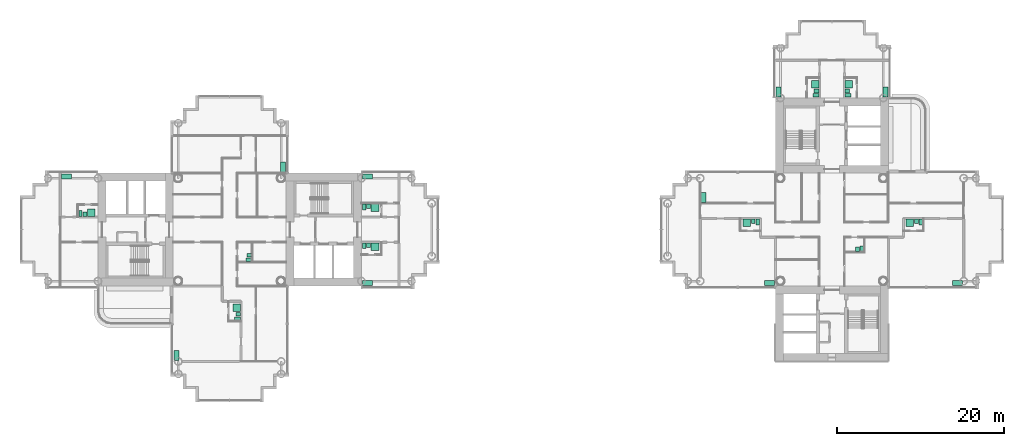
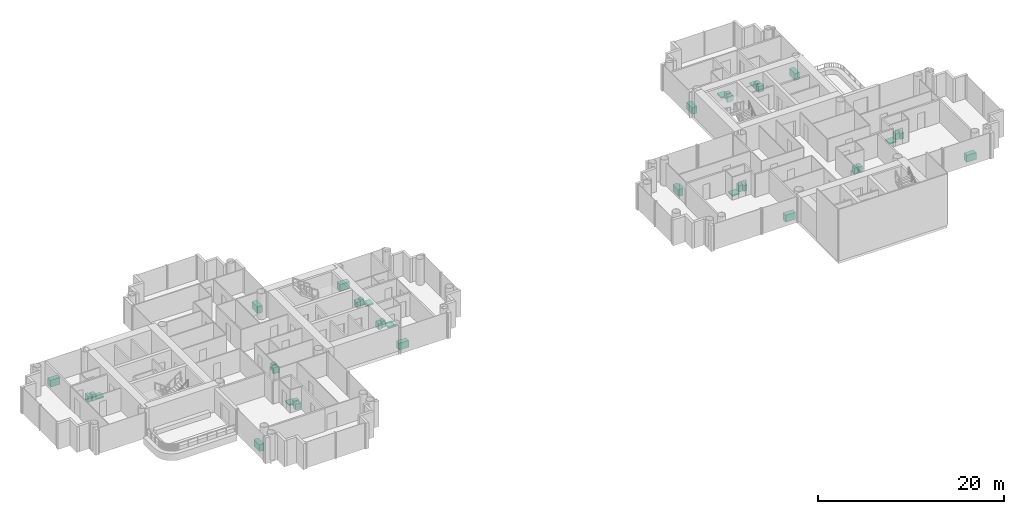
# One storey, part 21 of 21: 38 sanitary terminals.
"""IFC4 building model written with IfcOpenShell, lengths in metres."""

import ifcopenshell
import ifcopenshell.guid

model = None  # the IFC model being written
_history = None  # IfcOwnerHistory: only IFC2X3 demands one
_inside = {}  # id of a spatial element -> (the spatial element, [elements in it])
_under = {}  # id of a project, library or spatial element -> (it, [spatial elements below it])
_declared = {}  # id of a project -> (the project, [libraries it declares])
_typed = {}  # id of a type object -> (the type object, [elements of that type])
_made_of = {}  # id of a material, layer set ... -> (it, [elements and type objects made of it])


def new_model(schema):
    """Start an empty IFC model of exactly this schema.

    Asked for "IFC4X3", IfcOpenShell would pick the latest addendum, in which some entities
    have other attributes; the version numbers below select the first issue.
    IFC2X3 requires an IfcOwnerHistory on every rooted entity: one is made here for all.
    """
    global model, _history
    if schema == "IFC4X3":
        model = ifcopenshell.file(schema_version=(4, 3, 0, 0))
    else:
        model = ifcopenshell.file(schema=schema)
    _inside.clear()
    _under.clear()
    _declared.clear()
    _typed.clear()
    _made_of.clear()
    _history = None
    if model.schema == "IFC2X3":
        org = make("IfcOrganization", Name="unknown")
        user = make(
            "IfcPersonAndOrganization",
            ThePerson=make("IfcPerson", FamilyName="unknown"),
            TheOrganization=org,
        )
        app = make(
            "IfcApplication",
            ApplicationDeveloper=org,
            Version="unknown",
            ApplicationFullName="unknown",
            ApplicationIdentifier="unknown",
        )
        _history = make(
            "IfcOwnerHistory",
            OwningUser=user,
            OwningApplication=app,
            ChangeAction="ADDED",
            CreationDate=0,
        )
    return model


def make(cls, **values):
    """One entity of the class cls with the attributes given. An attribute that is None is left unset."""
    return model.create_entity(
        cls, **{name: value for name, value in values.items() if value is not None}
    )


def rooted(cls, **values):
    """An entity with a GlobalId (a new one), such as an element, a storey or a relation."""
    return make(cls, GlobalId=ifcopenshell.guid.new(), OwnerHistory=_history, **values)


def si_unit(unit_type, name, prefix=None):
    """IfcSIUnit, for example si_unit("LENGTHUNIT", "METRE", prefix="MILLI")."""
    return make("IfcSIUnit", UnitType=unit_type, Prefix=prefix, Name=name)


def assignment(units):
    """IfcUnitAssignment: the units of a project."""
    return None if units is None else make("IfcUnitAssignment", Units=units)


def point(xyz):
    """IfcCartesianPoint."""
    return None if xyz is None else make("IfcCartesianPoint", Coordinates=xyz)


def direction(xyz):
    """IfcDirection."""
    return None if xyz is None else make("IfcDirection", DirectionRatios=xyz)


def frame(location, z_axis=None, x_axis=None):
    """IfcAxis2Placement3D, a coordinate frame: its origin and axes. An axis left out is left unset."""
    return make(
        "IfcAxis2Placement3D",
        Location=point(location),
        Axis=direction(z_axis),
        RefDirection=direction(x_axis),
    )


def frame_2d(location, x_axis=None):
    """IfcAxis2Placement2D, a coordinate frame in the plane: its origin and x axis."""
    return make(
        "IfcAxis2Placement2D", Location=point(location), RefDirection=direction(x_axis)
    )


def origin():
    """The frame at (0, 0, 0) with its axes left unset."""
    return frame((0.0, 0.0, 0.0))


def origin_2d():
    """The frame at (0, 0) in the plane with its x axis left unset."""
    return frame_2d((0.0, 0.0))


def place(relative_to, where):
    """IfcLocalPlacement: puts the frame where relative to a parent placement (None: the world)."""
    return make(
        "IfcLocalPlacement", PlacementRelTo=relative_to, RelativePlacement=where
    )


def context(
    kind, dimensions, precision=None, world=None, true_north=None, identifier=None
):
    """IfcGeometricRepresentationContext, for example the 3D "Model" context."""
    return make(
        "IfcGeometricRepresentationContext",
        ContextIdentifier=identifier,
        ContextType=kind,
        CoordinateSpaceDimension=dimensions,
        Precision=precision,
        WorldCoordinateSystem=world,
        TrueNorth=true_north,
    )


def subcontext(parent, identifier, kind, view, scale=None):
    """IfcGeometricRepresentationSubContext, for example "Body" below "Model"."""
    return make(
        "IfcGeometricRepresentationSubContext",
        ContextIdentifier=identifier,
        ContextType=kind,
        ParentContext=parent,
        TargetScale=scale,
        TargetView=view,
    )


def project(units=None, contexts=None):
    """IfcProject with its units and contexts."""
    return rooted(
        "IfcProject",
        Name="project",
        RepresentationContexts=contexts,
        UnitsInContext=assignment(units),
    )


def spatial(cls, under=None, at=None, **own):
    """A site, building, storey or space (cls), placed at a placement, below another one or the project."""
    s = rooted(cls, ObjectPlacement=at, **own)
    if under is not None:
        _under.setdefault(under.id(), (under, []))[1].append(s)
    return s


def profile(cls, at=None, kind="AREA", **sizes):
    """A parametric profile (cls). Its sizes go by their IFC names, for example OverallWidth=200.0."""
    return make(cls, ProfileType=kind, Position=at, **sizes)


def rectangle(**sizes):
    """IfcRectangleProfileDef."""
    return profile("IfcRectangleProfileDef", **sizes)


def extrude(swept, where, along, depth):
    """IfcExtrudedAreaSolid: the profile swept, set in the frame where, extruded along a direction by depth."""
    return make(
        "IfcExtrudedAreaSolid",
        SweptArea=swept,
        Position=where,
        ExtrudedDirection=direction(along),
        Depth=depth,
    )


def shape(context_of_items, identifier, shape_type, items):
    """IfcShapeRepresentation: the items that make up one representation, for example the "Body"."""
    return make(
        "IfcShapeRepresentation",
        ContextOfItems=context_of_items,
        RepresentationIdentifier=identifier,
        RepresentationType=shape_type,
        Items=items,
    )


def material(Name=None, Category=None):
    """IfcMaterial."""
    return make("IfcMaterial", Name=Name, Category=Category)


def made_of(thing, what):
    """Note that an element or type object is made of a material, layer set ...; save() writes the relation."""
    if what is not None:
        _made_of.setdefault(what.id(), (what, []))[1].append(thing)
    return thing


def type_object(cls, material=None, **own):
    """A type object (cls), such as IfcWallType, which elements share."""
    return made_of(rooted(cls, **own), material)


def element(
    cls,
    number,
    at=None,
    inside=None,
    cuts=None,
    type_object=None,
    material=None,
    context=None,
    identifier="Body",
    shape_type=None,
    held_by="IfcProductDefinitionShape",
    body=None,
    shapes=None,
    **own,
):
    """One element of the class cls, such as IfcWall. Its Tag is "e" and its number.

    at: its placement. inside: the storey or other place that contains it. cuts: it is an
    opening in that element (IfcRelVoidsElement). A single representation is given by context,
    identifier, shape_type and body (its items); several are given by shapes. held_by: the class
    of the entity that holds the representations. save() writes the other relations.
    """
    e = rooted(cls, Tag="e%d" % number, ObjectPlacement=at, **own)
    if body is not None:
        shapes = [shape(context, identifier, shape_type, body)]
    if shapes is not None:
        e.Representation = make(held_by, Representations=shapes)
    if inside is not None:
        _inside.setdefault(inside.id(), (inside, []))[1].append(e)
    if cuts is not None:
        rooted(
            "IfcRelVoidsElement", RelatingBuildingElement=cuts, RelatedOpeningElement=e
        )
    if type_object is not None:
        _typed.setdefault(type_object.id(), (type_object, []))[1].append(e)
    return made_of(e, material)


def aggregate(whole, parts):
    """IfcRelAggregates: a whole, such as a stair, and the parts it consists of."""
    return rooted("IfcRelAggregates", RelatingObject=whole, RelatedObjects=parts)


def save(model, path):
    """Write the relations noted so far, then the file.

    IfcRelAggregates (storeys below a building ...), IfcRelContainedInSpatialStructure (elements
    in a storey), IfcRelDefinesByType, IfcRelAssociatesMaterial and IfcRelDeclares: one each for
    every whole, place, type object, material and project.
    """
    for whole, parts in _under.values():
        aggregate(whole, parts)
    for where, things in _inside.values():
        rooted(
            "IfcRelContainedInSpatialStructure",
            RelatedElements=things,
            RelatingStructure=where,
        )
    for kind, things in _typed.values():
        rooted("IfcRelDefinesByType", RelatedObjects=things, RelatingType=kind)
    for what, things in _made_of.values():
        rooted("IfcRelAssociatesMaterial", RelatedObjects=things, RelatingMaterial=what)
    for by, libraries in _declared.values():
        rooted("IfcRelDeclares", RelatingContext=by, RelatedDefinitions=libraries)
    model.write(path)


model = new_model("IFC4")

# Units and contexts
model_context = context("Model", 3, precision=1e-05, world=origin(), true_north=direction((0.0, 1.0)))
body_context = subcontext(model_context, "Body", "Model", "MODEL_VIEW")
ifc_project = project(units=[si_unit("LENGTHUNIT", "METRE"), si_unit("AREAUNIT", "SQUARE_METRE"), si_unit("VOLUMEUNIT", "CUBIC_METRE"), si_unit("PLANEANGLEUNIT", "RADIAN"), si_unit("MASSUNIT", "GRAM", prefix="KILO")], contexts=[model_context])

# Site, building, storey
site_placement = place(None, origin())
site = spatial("IfcSite", under=ifc_project, at=site_placement, CompositionType="ELEMENT")
building_placement = place(site_placement, origin())
building = spatial("IfcBuilding", under=site, at=building_placement, Name="Ipe Terrace Towers", CompositionType="ELEMENT")
storey_placement = place(building_placement, frame((0.0, 0.0, 97.0)))
storey = spatial("IfcBuildingStorey", under=building, at=storey_placement, Name="L26", CompositionType="ELEMENT", Elevation=97.0)

# Sanitary terminals
ifc_material_1 = material(Name="Stainless sink unit", Category="metal")
sanitary_terminal_type_1 = type_object("IfcSanitaryTerminalType", Name="Kitchen sink unit", PredefinedType="SINK", material=ifc_material_1)
for number, where, z_axis, x_axis, name in (
    (1, (-29.6201171875, 7.469970703125, 0.0), (0.0, 0.0, 1.0), (0.0, -1.0, 0.0), "Kitchen sink unit"),
    (2, (-42.3798828125, -15.030029296875, 0.0), (0.0, 0.0, 1.0), (0.0, 1.0, 0.0), "Kitchen sink unit"),
    (3, (-19.530029296875, 6.3798828125, 0.0), (0.0, 0.0, 1.0), (1.0, 0.0, 0.0), "Kitchen sink unit"),
    (4, (-19.530029296875, -6.3798828125, 0.0), (0.0, 0.0, 1.0), (-1.0, 0.0, 0.0), "Kitchen sink unit"),
    (5, (-55.530029296875, 6.3798828125, 0.0), (0.0, 0.0, 1.0), (1.0, 0.0, 0.0), "Kitchen sink unit"),
    (6, (28.530029296875, -6.3798828125, 0.0), (0.0, 0.0, 1.0), (-1.0, 0.0, 0.0), "Kitchen sink unit"),
    (7, (20.6201171875, 3.8701171875, 0.0), (0.0, 0.0, 1.0), (0.0, 1.0, 0.0), "Kitchen sink unit"),
    (8, (51.030029296875, -6.3798828125, 0.0), (0.0, 0.0, 1.0), (-1.0, 0.0, 0.0), "Kitchen sink unit"),
    (9, (29.6201171875, 16.469970703125, 0.0), (0.0, 0.0, 1.0), (0.0, 1.0, 0.0), "Kitchen sink unit"),
    (10, (42.3798828125, 16.469970703125, 0.0), (0.0, 0.0, 1.0), (0.0, -1.0, 0.0), "Kitchen sink unit"),
):
    element("IfcSanitaryTerminal", number, at=place(storey_placement, frame(where, z_axis=z_axis, x_axis=x_axis)), inside=storey, type_object=sanitary_terminal_type_1, Name=name, PredefinedType="SINK", context=body_context, shape_type="SweptSolid", body=[
        extrude(rectangle(XDim=1.199951171875, YDim=0.60009765625, at=origin_2d()), origin(), (0.0, 0.0, 1.0), 0.89990234375),
    ])
ifc_material_2 = material(Name="Acrylic", Category="plastic")
sanitary_terminal_type_2 = type_object("IfcSanitaryTerminalType", Name="Shower tray", PredefinedType="SHOWER", material=ifc_material_2)
for number, where, z_axis, x_axis, name in (
    (11, (-35.169921875, -9.330078125, 0.0), (0.0, 0.0, 1.0), (-1.0, 0.0, 0.0), "Shower tray"),
    (12, (-18.6298828125, 2.6298828125, 0.0), (0.0, 0.0, 1.0), (0.0, -1.0, 0.0), "Shower tray"),
    (13, (-18.6298828125, -2.02001953125, 0.0), (0.0, 0.0, 1.0), (0.0, -1.0, 0.0), "Shower tray"),
    (14, (-52.530029296875, 2.02001953125, 0.0), (0.0, 0.0, 1.0), (0.0, 1.0, 0.0), "Shower tray"),
    (15, (25.830078125, 0.830078125, 0.0), (0.0, 0.0, 1.0), (0.0, -1.0, 0.0), "Shower tray"),
    (16, (45.330078125, 0.830078125, 0.0), (0.0, 0.0, 1.0), (0.0, -1.0, 0.0), "Shower tray"),
    (17, (33.97998046875, 17.3701171875, 0.0), (0.0, 0.0, 1.0), (-1.0, 0.0, 0.0), "Shower tray"),
    (18, (38.02001953125, 17.3701171875, 0.0), (0.0, 0.0, 1.0), (1.0, 0.0, 0.0), "Shower tray"),
):
    element("IfcSanitaryTerminal", number, at=place(storey_placement, frame(where, z_axis=z_axis, x_axis=x_axis)), inside=storey, type_object=sanitary_terminal_type_2, Name=name, PredefinedType="SHOWER", context=body_context, shape_type="SweptSolid", body=[
        extrude(rectangle(XDim=0.89990234375, YDim=0.89990234375, at=origin_2d()), origin(), (0.0, 0.0, 1.0), 0.14990234375),
    ])
ifc_material_3 = material(Name="Vitreous china", Category="ceramic")
sanitary_terminal_type_3 = type_object("IfcSanitaryTerminalType", Name="Wash basin", PredefinedType="WASHHANDBASIN", material=ifc_material_3)
for number, where, z_axis, x_axis, name in (
    (19, (-33.64501953125, -3.054931640625, 0.0), (0.0, 0.0, 1.0), (-1.0, 0.0, 0.0), "Wash basin"),
    (20, (-34.9951171875, -10.10498046875, 0.0), (0.0, 0.0, 1.0), (-1.0, 0.0, 0.0), "Wash basin"),
    (21, (-19.405029296875, 2.804931640625, 0.0), (0.0, 0.0, 1.0), (0.0, -1.0, 0.0), "Wash basin"),
    (22, (-19.405029296875, -1.844970703125, 0.0), (0.0, 0.0, 1.0), (0.0, -1.0, 0.0), "Wash basin"),
    (23, (-53.304931640625, 1.844970703125, 0.0), (0.0, 0.0, 1.0), (0.0, 1.0, 0.0), "Wash basin"),
    (24, (39.054931640625, -2.35498046875, 0.0), (0.0, 0.0, 1.0), (0.0, 1.0, 0.0), "Wash basin"),
    (25, (26.60498046875, 1.0048828125, 0.0), (0.0, 0.0, 1.0), (0.0, -1.0, 0.0), "Wash basin"),
    (26, (46.10498046875, 1.0048828125, 0.0), (0.0, 0.0, 1.0), (0.0, -1.0, 0.0), "Wash basin"),
    (27, (34.155029296875, 16.594970703125, 0.0), (0.0, 0.0, 1.0), (-1.0, 0.0, 0.0), "Wash basin"),
    (28, (37.844970703125, 16.594970703125, 0.0), (0.0, 0.0, 1.0), (1.0, 0.0, 0.0), "Wash basin"),
):
    element("IfcSanitaryTerminal", number, at=place(storey_placement, frame(where, z_axis=z_axis, x_axis=x_axis)), inside=storey, type_object=sanitary_terminal_type_3, Name=name, PredefinedType="WASHHANDBASIN", context=body_context, shape_type="SweptSolid", body=[
        extrude(rectangle(XDim=0.550048828125, YDim=0.449951171875, at=origin_2d()), origin(), (0.0, 0.0, 1.0), 0.85009765625),
    ])
ifc_material_4 = material(Name="Vitreous china", Category="ceramic")
sanitary_terminal_type_4 = type_object("IfcSanitaryTerminalType", Name="Water closet", PredefinedType="TOILETPAN", material=ifc_material_4)
for number, where, z_axis, x_axis, name in (
    (29, (-33.719970703125, -3.580078125, 0.0), (0.0, 0.0, 1.0), (-1.0, 0.0, 0.0), "Water closet"),
    (30, (-35.070068359375, -10.6298828125, 0.0), (0.0, 0.0, 1.0), (-1.0, 0.0, 0.0), "Water closet"),
    (31, (-19.929931640625, 2.72998046875, 0.0), (0.0, 0.0, 1.0), (0.0, -1.0, 0.0), "Water closet"),
    (32, (-19.929931640625, -1.919921875, 0.0), (0.0, 0.0, 1.0), (0.0, -1.0, 0.0), "Water closet"),
    (33, (-53.830078125, 1.919921875, 0.0), (0.0, 0.0, 1.0), (0.0, 1.0, 0.0), "Water closet"),
    (34, (39.580078125, -2.280029296875, 0.0), (0.0, 0.0, 1.0), (0.0, 1.0, 0.0), "Water closet"),
    (35, (27.1298828125, 0.929931640625, 0.0), (0.0, 0.0, 1.0), (0.0, -1.0, 0.0), "Water closet"),
    (36, (46.6298828125, 0.929931640625, 0.0), (0.0, 0.0, 1.0), (0.0, -1.0, 0.0), "Water closet"),
    (37, (34.080078125, 16.070068359375, 0.0), (0.0, 0.0, 1.0), (-1.0, 0.0, 0.0), "Water closet"),
    (38, (37.919921875, 16.070068359375, 0.0), (0.0, 0.0, 1.0), (1.0, 0.0, 0.0), "Water closet"),
):
    element("IfcSanitaryTerminal", number, at=place(storey_placement, frame(where, z_axis=z_axis, x_axis=x_axis)), inside=storey, type_object=sanitary_terminal_type_4, Name=name, PredefinedType="TOILETPAN", context=body_context, shape_type="SweptSolid", body=[
        extrude(rectangle(XDim=0.699951171875, YDim=0.39990234375, at=origin_2d()), origin(), (0.0, 0.0, 1.0), 0.780029296875),
    ])

save(model, "model.ifc")
